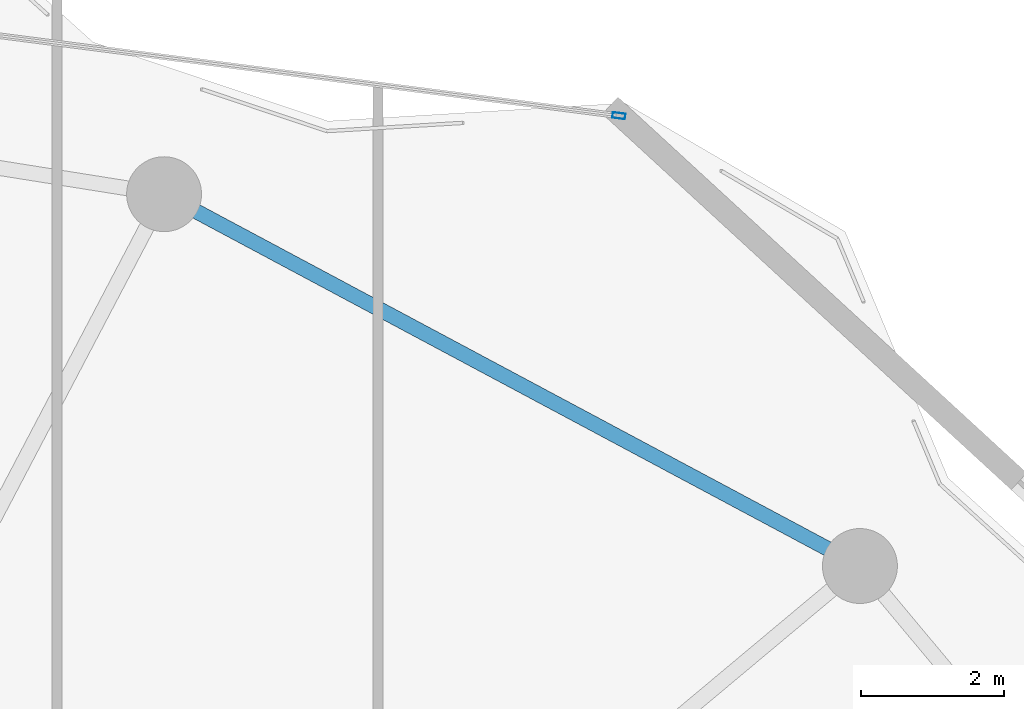
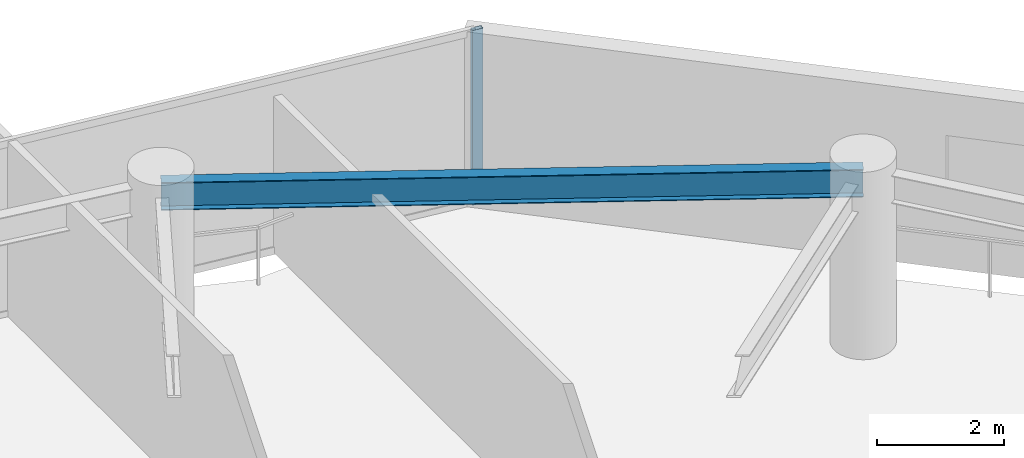
# One storey, part 23 of 31: 1 beam, 1 member, 1 element without a shape of its own.
"""IFC4 building model written with IfcOpenShell, lengths in metres."""

import ifcopenshell
import ifcopenshell.guid

model = None  # the IFC model being written
_history = None  # IfcOwnerHistory: only IFC2X3 demands one
_inside = {}  # id of a spatial element -> (the spatial element, [elements in it])
_under = {}  # id of a project, library or spatial element -> (it, [spatial elements below it])
_declared = {}  # id of a project -> (the project, [libraries it declares])
_typed = {}  # id of a type object -> (the type object, [elements of that type])
_made_of = {}  # id of a material, layer set ... -> (it, [elements and type objects made of it])


def new_model(schema):
    """Start an empty IFC model of exactly this schema.

    Asked for "IFC4X3", IfcOpenShell would pick the latest addendum, in which some entities
    have other attributes; the version numbers below select the first issue.
    IFC2X3 requires an IfcOwnerHistory on every rooted entity: one is made here for all.
    """
    global model, _history
    if schema == "IFC4X3":
        model = ifcopenshell.file(schema_version=(4, 3, 0, 0))
    else:
        model = ifcopenshell.file(schema=schema)
    _inside.clear()
    _under.clear()
    _declared.clear()
    _typed.clear()
    _made_of.clear()
    _history = None
    if model.schema == "IFC2X3":
        org = make("IfcOrganization", Name="unknown")
        user = make(
            "IfcPersonAndOrganization",
            ThePerson=make("IfcPerson", FamilyName="unknown"),
            TheOrganization=org,
        )
        app = make(
            "IfcApplication",
            ApplicationDeveloper=org,
            Version="unknown",
            ApplicationFullName="unknown",
            ApplicationIdentifier="unknown",
        )
        _history = make(
            "IfcOwnerHistory",
            OwningUser=user,
            OwningApplication=app,
            ChangeAction="ADDED",
            CreationDate=0,
        )
    return model


def make(cls, **values):
    """One entity of the class cls with the attributes given. An attribute that is None is left unset."""
    return model.create_entity(
        cls, **{name: value for name, value in values.items() if value is not None}
    )


def rooted(cls, **values):
    """An entity with a GlobalId (a new one), such as an element, a storey or a relation."""
    return make(cls, GlobalId=ifcopenshell.guid.new(), OwnerHistory=_history, **values)


def si_unit(unit_type, name, prefix=None):
    """IfcSIUnit, for example si_unit("LENGTHUNIT", "METRE", prefix="MILLI")."""
    return make("IfcSIUnit", UnitType=unit_type, Prefix=prefix, Name=name)


def assignment(units):
    """IfcUnitAssignment: the units of a project."""
    return None if units is None else make("IfcUnitAssignment", Units=units)


def point(xyz):
    """IfcCartesianPoint."""
    return None if xyz is None else make("IfcCartesianPoint", Coordinates=xyz)


def direction(xyz):
    """IfcDirection."""
    return None if xyz is None else make("IfcDirection", DirectionRatios=xyz)


def frame(location, z_axis=None, x_axis=None):
    """IfcAxis2Placement3D, a coordinate frame: its origin and axes. An axis left out is left unset."""
    return make(
        "IfcAxis2Placement3D",
        Location=point(location),
        Axis=direction(z_axis),
        RefDirection=direction(x_axis),
    )


def frame_2d(location, x_axis=None):
    """IfcAxis2Placement2D, a coordinate frame in the plane: its origin and x axis."""
    return make(
        "IfcAxis2Placement2D", Location=point(location), RefDirection=direction(x_axis)
    )


def origin():
    """The frame at (0, 0, 0) with its axes left unset."""
    return frame((0.0, 0.0, 0.0))


def origin_2d():
    """The frame at (0, 0) in the plane with its x axis left unset."""
    return frame_2d((0.0, 0.0))


def place(relative_to, where):
    """IfcLocalPlacement: puts the frame where relative to a parent placement (None: the world)."""
    return make(
        "IfcLocalPlacement", PlacementRelTo=relative_to, RelativePlacement=where
    )


def context(
    kind, dimensions, precision=None, world=None, true_north=None, identifier=None
):
    """IfcGeometricRepresentationContext, for example the 3D "Model" context."""
    return make(
        "IfcGeometricRepresentationContext",
        ContextIdentifier=identifier,
        ContextType=kind,
        CoordinateSpaceDimension=dimensions,
        Precision=precision,
        WorldCoordinateSystem=world,
        TrueNorth=true_north,
    )


def subcontext(parent, identifier, kind, view, scale=None):
    """IfcGeometricRepresentationSubContext, for example "Body" below "Model"."""
    return make(
        "IfcGeometricRepresentationSubContext",
        ContextIdentifier=identifier,
        ContextType=kind,
        ParentContext=parent,
        TargetScale=scale,
        TargetView=view,
    )


def project(units=None, contexts=None):
    """IfcProject with its units and contexts."""
    return rooted(
        "IfcProject",
        Name="project",
        RepresentationContexts=contexts,
        UnitsInContext=assignment(units),
    )


def spatial(cls, under=None, at=None, **own):
    """A site, building, storey or space (cls), placed at a placement, below another one or the project."""
    s = rooted(cls, ObjectPlacement=at, **own)
    if under is not None:
        _under.setdefault(under.id(), (under, []))[1].append(s)
    return s


def profile(cls, at=None, kind="AREA", **sizes):
    """A parametric profile (cls). Its sizes go by their IFC names, for example OverallWidth=200.0."""
    return make(cls, ProfileType=kind, Position=at, **sizes)


def hollow_rectangle(**sizes):
    """IfcRectangleHollowProfileDef."""
    return profile("IfcRectangleHollowProfileDef", **sizes)


def i_section(**sizes):
    """IfcIShapeProfileDef."""
    return profile("IfcIShapeProfileDef", **sizes)


def extrude(swept, where, along, depth):
    """IfcExtrudedAreaSolid: the profile swept, set in the frame where, extruded along a direction by depth."""
    return make(
        "IfcExtrudedAreaSolid",
        SweptArea=swept,
        Position=where,
        ExtrudedDirection=direction(along),
        Depth=depth,
    )


def shape(context_of_items, identifier, shape_type, items):
    """IfcShapeRepresentation: the items that make up one representation, for example the "Body"."""
    return make(
        "IfcShapeRepresentation",
        ContextOfItems=context_of_items,
        RepresentationIdentifier=identifier,
        RepresentationType=shape_type,
        Items=items,
    )


def material(Name=None, Category=None):
    """IfcMaterial."""
    return make("IfcMaterial", Name=Name, Category=Category)


def layer(
    of_material, thickness, ventilated=None, Name=None, Category=None, Priority=None
):
    """IfcMaterialLayer: one layer of a wall or slab, of a material (None: an air gap)."""
    return make(
        "IfcMaterialLayer",
        Material=of_material,
        LayerThickness=thickness,
        IsVentilated=ventilated,
        Name=Name,
        Category=Category,
        Priority=Priority,
    )


def layer_set(layers, Name=None):
    """IfcMaterialLayerSet."""
    return make("IfcMaterialLayerSet", MaterialLayers=layers, LayerSetName=Name)


def material_profile(
    of_material, cross_section, Name=None, Category=None, Priority=None
):
    """IfcMaterialProfile: a cross section and its material."""
    return make(
        "IfcMaterialProfile",
        Name=Name,
        Material=of_material,
        Profile=cross_section,
        Priority=Priority,
        Category=Category,
    )


def profile_set(profiles, Name=None, composite=None):
    """IfcMaterialProfileSet."""
    return make(
        "IfcMaterialProfileSet",
        Name=Name,
        MaterialProfiles=profiles,
        CompositeProfile=composite,
    )


def made_of(thing, what):
    """Note that an element or type object is made of a material, layer set ...; save() writes the relation."""
    if what is not None:
        _made_of.setdefault(what.id(), (what, []))[1].append(thing)
    return thing


def type_object(cls, material=None, **own):
    """A type object (cls), such as IfcWallType, which elements share."""
    return made_of(rooted(cls, **own), material)


def element(
    cls,
    number,
    at=None,
    inside=None,
    cuts=None,
    type_object=None,
    material=None,
    context=None,
    identifier="Body",
    shape_type=None,
    held_by="IfcProductDefinitionShape",
    body=None,
    shapes=None,
    **own,
):
    """One element of the class cls, such as IfcWall. Its Tag is "e" and its number.

    at: its placement. inside: the storey or other place that contains it. cuts: it is an
    opening in that element (IfcRelVoidsElement). A single representation is given by context,
    identifier, shape_type and body (its items); several are given by shapes. held_by: the class
    of the entity that holds the representations. save() writes the other relations.
    """
    e = rooted(cls, Tag="e%d" % number, ObjectPlacement=at, **own)
    if body is not None:
        shapes = [shape(context, identifier, shape_type, body)]
    if shapes is not None:
        e.Representation = make(held_by, Representations=shapes)
    if inside is not None:
        _inside.setdefault(inside.id(), (inside, []))[1].append(e)
    if cuts is not None:
        rooted(
            "IfcRelVoidsElement", RelatingBuildingElement=cuts, RelatedOpeningElement=e
        )
    if type_object is not None:
        _typed.setdefault(type_object.id(), (type_object, []))[1].append(e)
    return made_of(e, material)


def aggregate(whole, parts):
    """IfcRelAggregates: a whole, such as a stair, and the parts it consists of."""
    return rooted("IfcRelAggregates", RelatingObject=whole, RelatedObjects=parts)


def save(model, path):
    """Write the relations noted so far, then the file.

    IfcRelAggregates (storeys below a building ...), IfcRelContainedInSpatialStructure (elements
    in a storey), IfcRelDefinesByType, IfcRelAssociatesMaterial and IfcRelDeclares: one each for
    every whole, place, type object, material and project.
    """
    for whole, parts in _under.values():
        aggregate(whole, parts)
    for where, things in _inside.values():
        rooted(
            "IfcRelContainedInSpatialStructure",
            RelatedElements=things,
            RelatingStructure=where,
        )
    for kind, things in _typed.values():
        rooted("IfcRelDefinesByType", RelatedObjects=things, RelatingType=kind)
    for what, things in _made_of.values():
        rooted("IfcRelAssociatesMaterial", RelatedObjects=things, RelatingMaterial=what)
    for by, libraries in _declared.values():
        rooted("IfcRelDeclares", RelatingContext=by, RelatedDefinitions=libraries)
    model.write(path)


model = new_model("IFC4")

# Units and contexts
model_context = context("Model", 3, precision=1e-05, world=origin(), true_north=direction((0.0, 1.0)))
body_context = subcontext(model_context, "Body", "Model", "MODEL_VIEW")
ifc_project = project(units=[si_unit("LENGTHUNIT", "METRE"), si_unit("AREAUNIT", "SQUARE_METRE"), si_unit("VOLUMEUNIT", "CUBIC_METRE"), si_unit("PLANEANGLEUNIT", "RADIAN"), si_unit("MASSUNIT", "GRAM", prefix="KILO")], contexts=[model_context])

# Site, building, storey
site_placement = place(None, origin())
site = spatial("IfcSite", under=ifc_project, at=site_placement, CompositionType="ELEMENT")
building_placement = place(site_placement, origin())
building = spatial("IfcBuilding", under=site, at=building_placement, Name="Kazevale Care Tower and Concert Hall", CompositionType="ELEMENT")
storey_placement = place(building_placement, frame((0.0, 0.0, 220.800048828125)))
storey = spatial("IfcBuildingStorey", under=building, at=storey_placement, Name="L58", CompositionType="ELEMENT", Elevation=220.800048828125)

# Curtain wall, member
ifc_material_1 = material(Name="Aluminium 6063-T6 and Low-E Glass", Category="aluminium")
ifc_layer = layer(ifc_material_1, 0.179931640625)
ifc_layer_set = layer_set([ifc_layer], Name="Aluminium 6063-T6 and Low-E Glass")
curtain_wall_type = type_object("IfcCurtainWallType", Name="Waist & Upper Residential Curtain Wall CW-4", PredefinedType="NOTDEFINED", material=ifc_layer_set)
curtain_wall_placement = place(storey_placement, origin())
curtain_wall = element("IfcCurtainWall", 1, at=curtain_wall_placement, inside=storey, type_object=curtain_wall_type, Name="cw:L58:f16", PredefinedType="NOTDEFINED")
ifc_material_2 = material(Name="Aluminium 6063-T6", Category="aluminium")
ifc_material_profile_1 = material_profile(ifc_material_2, hollow_rectangle(XDim=0.080078125, YDim=0.179931640625, WallThickness=0.0048828125, at=origin_2d()), Name="ALU80x180x5")
ifc_profile_set_1 = profile_set([ifc_material_profile_1], Name="Aluminium 6063-T6")
member_type = type_object("IfcMemberType", Name="CW-4 Mullion ALU80x180x5", PredefinedType="MULLION", material=ifc_profile_set_1)
member_placement = place(storey_placement, frame((62.873291015625, 61.319091796875, 0.0), z_axis=(0.0, 0.0, 1.0), x_axis=(0.128098132904, 0.991761497713, 0.0)))
member = element("IfcMember", 2, at=member_placement, type_object=member_type, Name="CW-4 mullion 2", PredefinedType="MULLION", context=body_context, shape_type="SweptSolid", body=[
    extrude(hollow_rectangle(XDim=0.080078125, YDim=0.179931640625, WallThickness=0.0048828125, at=origin_2d()), origin(), (0.0, 0.0, 1.0), 3.35986328125),
])
aggregate(curtain_wall, [member])

# Beam
ifc_material_3 = material(Name="Steel ASTM A572 Gr 50", Category="steel")
ifc_material_profile_2 = material_profile(ifc_material_3, i_section(OverallWidth=0.208984375, OverallDepth=0.532958984375, WebThickness=0.01025390625, FlangeThickness=0.015625, at=origin_2d()), Name="W530x92")
ifc_profile_set_2 = profile_set([ifc_material_profile_2], Name="Steel ASTM A572 Gr 50")
beam_type = type_object("IfcBeamType", Name="Upper Ring Beam W530x92", PredefinedType="BEAM", material=ifc_profile_set_2)
beam_placement = place(storey_placement, frame((66.25, 55.010009765625, 3.093505859375), z_axis=(-0.881978519833, 0.471289603697, 0.0), x_axis=(-0.471289603697, -0.881978519833, 0.0)))
element("IfcBeam", 3, at=beam_placement, inside=storey, type_object=beam_type, Name="beam:L58:ring:03", PredefinedType="BEAM", context=body_context, shape_type="SweptSolid", body=[
    extrude(i_section(OverallWidth=0.208984375, OverallDepth=0.532958984375, WebThickness=0.01025390625, FlangeThickness=0.015625, at=origin_2d()), origin(), (0.0, 0.0, 1.0), 11.0546875),
])

save(model, "model.ifc")
